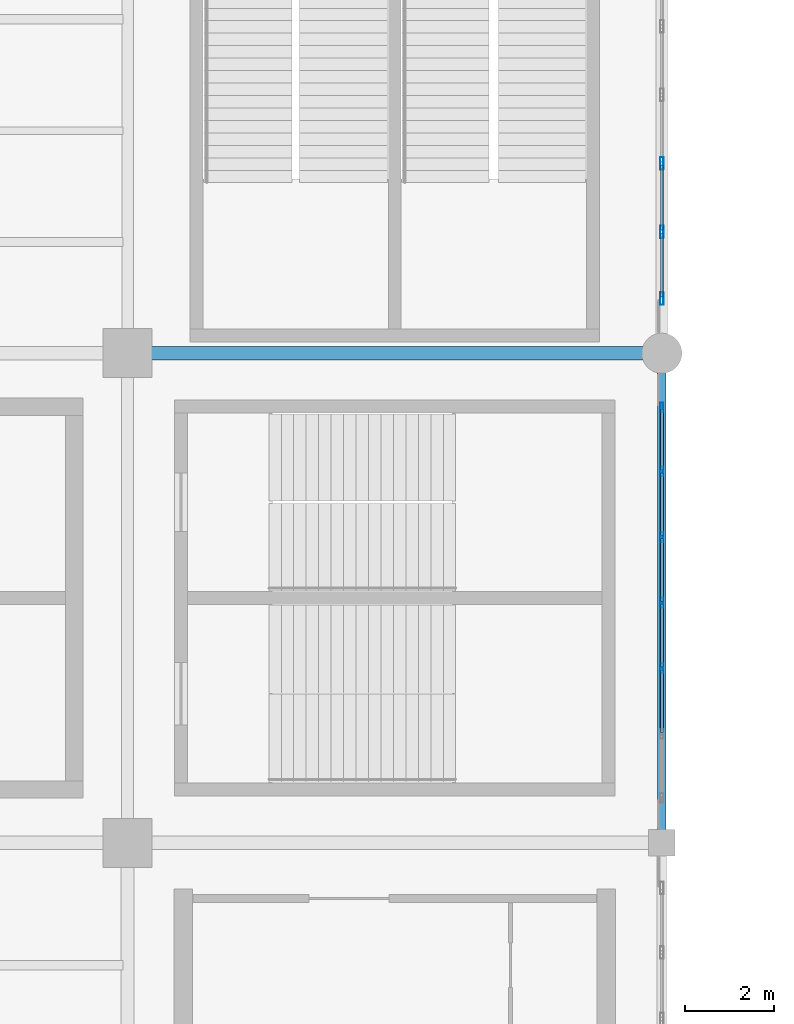
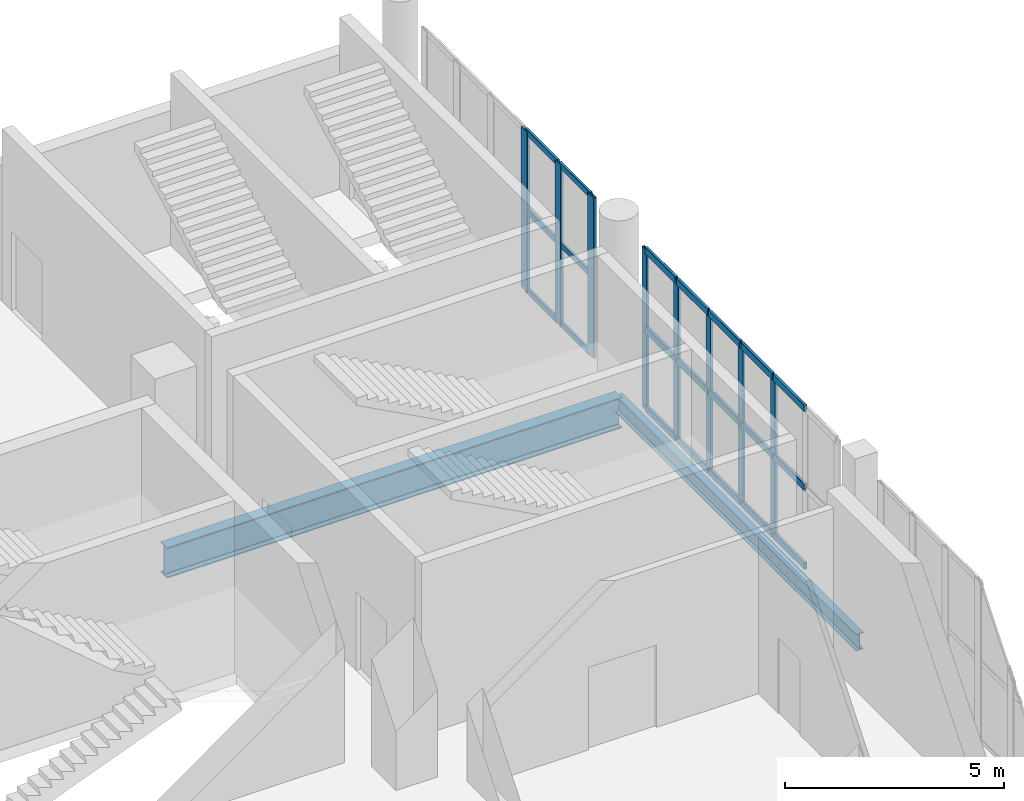
# One storey, part 89 of 136: 29 members, 2 beams, 2 elements without a shape of their own.
"""IFC4 building model written with IfcOpenShell, lengths in metres."""

from ifc_helpers import new_model, si_unit, direction, frame, origin, origin_2d, place, context, subcontext, project, spatial, hollow_rectangle, i_section, extrude, material, layer, layer_set, material_profile, profile_set, type_object, element, aggregate, save


model = new_model("IFC4")

# Units and contexts
model_context = context("Model", 3, precision=1e-05, world=origin(), true_north=direction((0.0, 1.0)))
body_context = subcontext(model_context, "Body", "Model", "MODEL_VIEW")
ifc_project = project(units=[si_unit("LENGTHUNIT", "METRE"), si_unit("AREAUNIT", "SQUARE_METRE"), si_unit("VOLUMEUNIT", "CUBIC_METRE"), si_unit("PLANEANGLEUNIT", "RADIAN"), si_unit("MASSUNIT", "GRAM", prefix="KILO")], contexts=[model_context])

# Site, building, storey
site_placement = place(None, origin())
site = spatial("IfcSite", under=ifc_project, at=site_placement, CompositionType="ELEMENT")
building_placement = place(site_placement, origin())
building = spatial("IfcBuilding", under=site, at=building_placement, Name="Brinegate Civic Arena", CompositionType="ELEMENT")
storey_placement = place(building_placement, frame((0.0, 0.0, 5.39990234375)))
storey = spatial("IfcBuildingStorey", under=building, at=storey_placement, Name="L01", CompositionType="ELEMENT", Elevation=5.39990234375)

# Curtain wall, members
ifc_material_1 = material(Name="Marine grade aluminium", Category="aluminium")
ifc_layer = layer(ifc_material_1, 0.199951171875, Name="Marine grade aluminium")
ifc_layer_set = layer_set([ifc_layer], Name="Marine grade aluminium")
curtain_wall_type = type_object("IfcCurtainWallType", Name="CW-BOWL-GLAZED-01", PredefinedType="USERDEFINED", material=ifc_layer_set)
curtain_wall_1_placement = place(storey_placement, origin())
curtain_wall_1 = element("IfcCurtainWall", 1, at=curtain_wall_1_placement, inside=storey, type_object=curtain_wall_type, Name="Curtain Wall CWA-059", ObjectType="GLAZED CURTAIN WALL", PredefinedType="USERDEFINED")
ifc_material_profile_1 = material_profile(ifc_material_1, hollow_rectangle(XDim=0.06494140625, YDim=0.219970703125, WallThickness=0.006103515625, InnerFilletRadius=0.00390625, OuterFilletRadius=0.008056640625, at=origin_2d()), Name="MUL65X220")
ifc_profile_set_1 = profile_set([ifc_material_profile_1], Name="Marine grade aluminium")
member_type_1 = type_object("IfcMemberType", Name="CW-MULLION-65X220", PredefinedType="MULLION", material=ifc_profile_set_1)
member_1_placement = place(storey_placement, frame((168.0, 96.920654296875, 0.0), z_axis=(0.0, 0.0, 1.0), x_axis=(-1.0, 0.0, 0.0)))
member_1 = element("IfcMember", 2, at=member_1_placement, type_object=member_type_1, Name="CWA-059 mullion 3", PredefinedType="MULLION", context=body_context, shape_type="SweptSolid", body=[
    extrude(hollow_rectangle(XDim=0.06494140625, YDim=0.219970703125, WallThickness=0.006103515625, InnerFilletRadius=0.00390625, OuterFilletRadius=0.008056640625, at=origin_2d()), origin(), (0.0, 0.0, 1.0), 4.47021484375),
])
member_2_placement = place(storey_placement, frame((168.0, 98.39404296875, 0.0), z_axis=(0.0, 0.0, 1.0), x_axis=(-1.0, 0.0, 0.0)))
member_2 = element("IfcMember", 3, at=member_2_placement, type_object=member_type_1, Name="CWA-059 mullion 4", PredefinedType="MULLION", context=body_context, shape_type="SweptSolid", body=[
    extrude(hollow_rectangle(XDim=0.06494140625, YDim=0.219970703125, WallThickness=0.006103515625, InnerFilletRadius=0.00390625, OuterFilletRadius=0.008056640625, at=origin_2d()), origin(), (0.0, 0.0, 1.0), 4.47021484375),
])
member_3_placement = place(storey_placement, frame((168.0, 99.867431640625, 0.0), z_axis=(0.0, 0.0, 1.0), x_axis=(-1.0, 0.0, 0.0)))
member_3 = element("IfcMember", 4, at=member_3_placement, type_object=member_type_1, Name="CWA-059 mullion 5", PredefinedType="MULLION", context=body_context, shape_type="SweptSolid", body=[
    extrude(hollow_rectangle(XDim=0.06494140625, YDim=0.219970703125, WallThickness=0.006103515625, InnerFilletRadius=0.00390625, OuterFilletRadius=0.008056640625, at=origin_2d()), origin(), (0.0, 0.0, 1.0), 4.47021484375),
])
member_4_placement = place(storey_placement, frame((168.0, 101.340576171875, 0.0), z_axis=(0.0, 0.0, 1.0), x_axis=(-1.0, 0.0, 0.0)))
member_4 = element("IfcMember", 5, at=member_4_placement, type_object=member_type_1, Name="CWA-059 mullion 6", PredefinedType="MULLION", context=body_context, shape_type="SweptSolid", body=[
    extrude(hollow_rectangle(XDim=0.06494140625, YDim=0.219970703125, WallThickness=0.006103515625, InnerFilletRadius=0.00390625, OuterFilletRadius=0.008056640625, at=origin_2d()), origin(), (0.0, 0.0, 1.0), 4.47021484375),
])
member_5_placement = place(storey_placement, frame((168.0, 102.781494140625, 0.0), z_axis=(0.0, 0.0, 1.0), x_axis=(-1.0, 0.0, 0.0)))
member_5 = element("IfcMember", 6, at=member_5_placement, type_object=member_type_1, Name="CWA-059 mullion 7", PredefinedType="MULLION", context=body_context, shape_type="SweptSolid", body=[
    extrude(hollow_rectangle(XDim=0.06494140625, YDim=0.219970703125, WallThickness=0.006103515625, InnerFilletRadius=0.00390625, OuterFilletRadius=0.008056640625, at=origin_2d()), origin(), (0.0, 0.0, 1.0), 4.47021484375),
])

curtain_wall_2_placement = place(storey_placement, origin())
curtain_wall_2 = element("IfcCurtainWall", 7, at=curtain_wall_2_placement, inside=storey, type_object=curtain_wall_type, Name="Curtain Wall CWA-061", ObjectType="GLAZED CURTAIN WALL", PredefinedType="USERDEFINED")
ifc_material_profile_2 = material_profile(ifc_material_1, hollow_rectangle(XDim=0.080078125, YDim=0.280029296875, WallThickness=0.007080078125, InnerFilletRadius=0.0048828125, OuterFilletRadius=0.010009765625, at=origin_2d()), Name="MUL80X280")
ifc_profile_set_2 = profile_set([ifc_material_profile_2], Name="Marine grade aluminium")
member_type_2 = type_object("IfcMemberType", Name="CW-MULLION-80X280", PredefinedType="MULLION", material=ifc_profile_set_2)
member_6_placement = place(storey_placement, frame((168.0, 105.22607421875, 0.0), z_axis=(0.0, 0.0, 1.0), x_axis=(-1.0, 0.0, 0.0)))
member_6 = element("IfcMember", 8, at=member_6_placement, type_object=member_type_2, Name="CWA-061 mullion 1", PredefinedType="MULLION", context=body_context, shape_type="SweptSolid", body=[
    extrude(hollow_rectangle(XDim=0.080078125, YDim=0.280029296875, WallThickness=0.007080078125, InnerFilletRadius=0.0048828125, OuterFilletRadius=0.010009765625, at=origin_2d()), origin(), (0.0, 0.0, 1.0), 4.47021484375),
])
member_7_placement = place(storey_placement, frame((168.0, 106.7255859375, 0.0), z_axis=(0.0, 0.0, 1.0), x_axis=(-1.0, 0.0, 0.0)))
member_7 = element("IfcMember", 9, at=member_7_placement, type_object=member_type_2, Name="CWA-061 mullion 2", PredefinedType="MULLION", context=body_context, shape_type="SweptSolid", body=[
    extrude(hollow_rectangle(XDim=0.080078125, YDim=0.280029296875, WallThickness=0.007080078125, InnerFilletRadius=0.0048828125, OuterFilletRadius=0.010009765625, at=origin_2d()), origin(), (0.0, 0.0, 1.0), 4.47021484375),
])
member_8_placement = place(storey_placement, frame((168.0, 108.26513671875, 0.0), z_axis=(0.0, 0.0, 1.0), x_axis=(-1.0, 0.0, 0.0)))
member_8 = element("IfcMember", 10, at=member_8_placement, type_object=member_type_2, Name="CWA-061 mullion 3", PredefinedType="MULLION", context=body_context, shape_type="SweptSolid", body=[
    extrude(hollow_rectangle(XDim=0.080078125, YDim=0.280029296875, WallThickness=0.007080078125, InnerFilletRadius=0.0048828125, OuterFilletRadius=0.010009765625, at=origin_2d()), origin(), (0.0, 0.0, 1.0), 4.47021484375),
])
ifc_material_profile_3 = material_profile(ifc_material_1, hollow_rectangle(XDim=0.06494140625, YDim=0.1650390625, WallThickness=0.0048828125, InnerFilletRadius=0.00390625, OuterFilletRadius=0.008056640625, at=origin_2d()), Name="TRN65X165")
ifc_profile_set_3 = profile_set([ifc_material_profile_3], Name="Marine grade aluminium")
member_type_3 = type_object("IfcMemberType", Name="CW-TRANSOM-65X165", PredefinedType="USERDEFINED", material=ifc_profile_set_3)
member_9_placement = place(storey_placement, frame((168.0, 105.26611328125, 0.03271484375), z_axis=(0.0, 1.0, 0.0), x_axis=(-1.0, 0.0, 0.0)))
member_9 = element("IfcMember", 11, at=member_9_placement, type_object=member_type_3, Name="CWA-061 transom 1.1", ObjectType="TRANSOM", PredefinedType="USERDEFINED", context=body_context, shape_type="SweptSolid", body=[
    extrude(hollow_rectangle(XDim=0.06494140625, YDim=0.1650390625, WallThickness=0.0048828125, InnerFilletRadius=0.00390625, OuterFilletRadius=0.008056640625, at=origin_2d()), origin(), (0.0, 0.0, 1.0), 1.41943359375),
])
member_10_placement = place(storey_placement, frame((168.0, 105.26611328125, 2.235107421875), z_axis=(0.0, 1.0, 0.0), x_axis=(-1.0, 0.0, 0.0)))
member_10 = element("IfcMember", 12, at=member_10_placement, type_object=member_type_3, Name="CWA-061 transom 1.2", ObjectType="TRANSOM", PredefinedType="USERDEFINED", context=body_context, shape_type="SweptSolid", body=[
    extrude(hollow_rectangle(XDim=0.06494140625, YDim=0.1650390625, WallThickness=0.0048828125, InnerFilletRadius=0.00390625, OuterFilletRadius=0.008056640625, at=origin_2d()), origin(), (0.0, 0.0, 1.0), 1.41943359375),
])
member_11_placement = place(storey_placement, frame((168.0, 105.26611328125, 4.4375), z_axis=(0.0, 1.0, 0.0), x_axis=(-1.0, 0.0, 0.0)))
member_11 = element("IfcMember", 13, at=member_11_placement, type_object=member_type_3, Name="CWA-061 transom 1.3", ObjectType="TRANSOM", PredefinedType="USERDEFINED", context=body_context, shape_type="SweptSolid", body=[
    extrude(hollow_rectangle(XDim=0.06494140625, YDim=0.1650390625, WallThickness=0.0048828125, InnerFilletRadius=0.00390625, OuterFilletRadius=0.008056640625, at=origin_2d()), origin(), (0.0, 0.0, 1.0), 1.41943359375),
])
member_12_placement = place(storey_placement, frame((168.0, 106.765625, 0.03271484375), z_axis=(0.0, 1.0, 0.0), x_axis=(-1.0, 0.0, 0.0)))
member_12 = element("IfcMember", 14, at=member_12_placement, type_object=member_type_3, Name="CWA-061 transom 2.1", ObjectType="TRANSOM", PredefinedType="USERDEFINED", context=body_context, shape_type="SweptSolid", body=[
    extrude(hollow_rectangle(XDim=0.06494140625, YDim=0.1650390625, WallThickness=0.0048828125, InnerFilletRadius=0.00390625, OuterFilletRadius=0.008056640625, at=origin_2d()), origin(), (0.0, 0.0, 1.0), 1.45947265625),
])
member_13_placement = place(storey_placement, frame((168.0, 106.765625, 2.235107421875), z_axis=(0.0, 1.0, 0.0), x_axis=(-1.0, 0.0, 0.0)))
member_13 = element("IfcMember", 15, at=member_13_placement, type_object=member_type_3, Name="CWA-061 transom 2.2", ObjectType="TRANSOM", PredefinedType="USERDEFINED", context=body_context, shape_type="SweptSolid", body=[
    extrude(hollow_rectangle(XDim=0.06494140625, YDim=0.1650390625, WallThickness=0.0048828125, InnerFilletRadius=0.00390625, OuterFilletRadius=0.008056640625, at=origin_2d()), origin(), (0.0, 0.0, 1.0), 1.45947265625),
])
member_14_placement = place(storey_placement, frame((168.0, 106.765625, 4.4375), z_axis=(0.0, 1.0, 0.0), x_axis=(-1.0, 0.0, 0.0)))
member_14 = element("IfcMember", 16, at=member_14_placement, type_object=member_type_3, Name="CWA-061 transom 2.3", ObjectType="TRANSOM", PredefinedType="USERDEFINED", context=body_context, shape_type="SweptSolid", body=[
    extrude(hollow_rectangle(XDim=0.06494140625, YDim=0.1650390625, WallThickness=0.0048828125, InnerFilletRadius=0.00390625, OuterFilletRadius=0.008056640625, at=origin_2d()), origin(), (0.0, 0.0, 1.0), 1.45947265625),
])
aggregate(curtain_wall_2, [member_6, member_7, member_8, member_9, member_10, member_11, member_12, member_13, member_14])

# Member
ifc_material_profile_4 = material_profile(ifc_material_1, hollow_rectangle(XDim=0.074951171875, YDim=0.18994140625, WallThickness=0.006103515625, InnerFilletRadius=0.00390625, OuterFilletRadius=0.008056640625, at=origin_2d()), Name="TRN75X190")
ifc_profile_set_4 = profile_set([ifc_material_profile_4], Name="Marine grade aluminium")
member_type_4 = type_object("IfcMemberType", Name="CW-TRANSOM-75X190", PredefinedType="USERDEFINED", material=ifc_profile_set_4)
member_15_placement = place(storey_placement, frame((168.0, 95.479736328125, 0.03759765625), z_axis=(0.0, 1.0, 0.0), x_axis=(-1.0, 0.0, 0.0)))
member_15 = element("IfcMember", 17, at=member_15_placement, type_object=member_type_4, Name="CWA-059 transom 2.1", ObjectType="TRANSOM", PredefinedType="USERDEFINED", context=body_context, shape_type="SweptSolid", body=[
    extrude(hollow_rectangle(XDim=0.074951171875, YDim=0.18994140625, WallThickness=0.006103515625, InnerFilletRadius=0.00390625, OuterFilletRadius=0.008056640625, at=origin_2d()), origin(), (0.0, 0.0, 1.0), 1.408447265625),
])

member_16_placement = place(storey_placement, frame((168.0, 95.479736328125, 2.235107421875), z_axis=(0.0, 1.0, 0.0), x_axis=(-1.0, 0.0, 0.0)))
member_16 = element("IfcMember", 18, at=member_16_placement, type_object=member_type_4, Name="CWA-059 transom 2.2", ObjectType="TRANSOM", PredefinedType="USERDEFINED", context=body_context, shape_type="SweptSolid", body=[
    extrude(hollow_rectangle(XDim=0.074951171875, YDim=0.18994140625, WallThickness=0.006103515625, InnerFilletRadius=0.00390625, OuterFilletRadius=0.008056640625, at=origin_2d()), origin(), (0.0, 0.0, 1.0), 1.408447265625),
])

member_17_placement = place(storey_placement, frame((168.0, 95.479736328125, 4.4326171875), z_axis=(0.0, 1.0, 0.0), x_axis=(-1.0, 0.0, 0.0)))
member_17 = element("IfcMember", 19, at=member_17_placement, type_object=member_type_4, Name="CWA-059 transom 2.3", ObjectType="TRANSOM", PredefinedType="USERDEFINED", context=body_context, shape_type="SweptSolid", body=[
    extrude(hollow_rectangle(XDim=0.074951171875, YDim=0.18994140625, WallThickness=0.006103515625, InnerFilletRadius=0.00390625, OuterFilletRadius=0.008056640625, at=origin_2d()), origin(), (0.0, 0.0, 1.0), 1.408447265625),
])

member_18_placement = place(storey_placement, frame((168.0, 96.953125, 0.03759765625), z_axis=(0.0, 1.0, 0.0), x_axis=(-1.0, 0.0, 0.0)))
member_18 = element("IfcMember", 20, at=member_18_placement, type_object=member_type_4, Name="CWA-059 transom 3.1", ObjectType="TRANSOM", PredefinedType="USERDEFINED", context=body_context, shape_type="SweptSolid", body=[
    extrude(hollow_rectangle(XDim=0.074951171875, YDim=0.18994140625, WallThickness=0.006103515625, InnerFilletRadius=0.00390625, OuterFilletRadius=0.008056640625, at=origin_2d()), origin(), (0.0, 0.0, 1.0), 1.408447265625),
])

member_19_placement = place(storey_placement, frame((168.0, 96.953125, 2.235107421875), z_axis=(0.0, 1.0, 0.0), x_axis=(-1.0, 0.0, 0.0)))
member_19 = element("IfcMember", 21, at=member_19_placement, type_object=member_type_4, Name="CWA-059 transom 3.2", ObjectType="TRANSOM", PredefinedType="USERDEFINED", context=body_context, shape_type="SweptSolid", body=[
    extrude(hollow_rectangle(XDim=0.074951171875, YDim=0.18994140625, WallThickness=0.006103515625, InnerFilletRadius=0.00390625, OuterFilletRadius=0.008056640625, at=origin_2d()), origin(), (0.0, 0.0, 1.0), 1.408447265625),
])

member_20_placement = place(storey_placement, frame((168.0, 96.953125, 4.4326171875), z_axis=(0.0, 1.0, 0.0), x_axis=(-1.0, 0.0, 0.0)))
member_20 = element("IfcMember", 22, at=member_20_placement, type_object=member_type_4, Name="CWA-059 transom 3.3", ObjectType="TRANSOM", PredefinedType="USERDEFINED", context=body_context, shape_type="SweptSolid", body=[
    extrude(hollow_rectangle(XDim=0.074951171875, YDim=0.18994140625, WallThickness=0.006103515625, InnerFilletRadius=0.00390625, OuterFilletRadius=0.008056640625, at=origin_2d()), origin(), (0.0, 0.0, 1.0), 1.408447265625),
])

member_21_placement = place(storey_placement, frame((168.0, 98.426513671875, 0.03759765625), z_axis=(0.0, 1.0, 0.0), x_axis=(-1.0, 0.0, 0.0)))
member_21 = element("IfcMember", 23, at=member_21_placement, type_object=member_type_4, Name="CWA-059 transom 4.1", ObjectType="TRANSOM", PredefinedType="USERDEFINED", context=body_context, shape_type="SweptSolid", body=[
    extrude(hollow_rectangle(XDim=0.074951171875, YDim=0.18994140625, WallThickness=0.006103515625, InnerFilletRadius=0.00390625, OuterFilletRadius=0.008056640625, at=origin_2d()), origin(), (0.0, 0.0, 1.0), 1.408203125),
])

member_22_placement = place(storey_placement, frame((168.0, 98.426513671875, 2.235107421875), z_axis=(0.0, 1.0, 0.0), x_axis=(-1.0, 0.0, 0.0)))
member_22 = element("IfcMember", 24, at=member_22_placement, type_object=member_type_4, Name="CWA-059 transom 4.2", ObjectType="TRANSOM", PredefinedType="USERDEFINED", context=body_context, shape_type="SweptSolid", body=[
    extrude(hollow_rectangle(XDim=0.074951171875, YDim=0.18994140625, WallThickness=0.006103515625, InnerFilletRadius=0.00390625, OuterFilletRadius=0.008056640625, at=origin_2d()), origin(), (0.0, 0.0, 1.0), 1.408203125),
])

member_23_placement = place(storey_placement, frame((168.0, 98.426513671875, 4.4326171875), z_axis=(0.0, 1.0, 0.0), x_axis=(-1.0, 0.0, 0.0)))
member_23 = element("IfcMember", 25, at=member_23_placement, type_object=member_type_4, Name="CWA-059 transom 4.3", ObjectType="TRANSOM", PredefinedType="USERDEFINED", context=body_context, shape_type="SweptSolid", body=[
    extrude(hollow_rectangle(XDim=0.074951171875, YDim=0.18994140625, WallThickness=0.006103515625, InnerFilletRadius=0.00390625, OuterFilletRadius=0.008056640625, at=origin_2d()), origin(), (0.0, 0.0, 1.0), 1.408203125),
])

member_24_placement = place(storey_placement, frame((168.0, 99.89990234375, 0.03759765625), z_axis=(0.0, 1.0, 0.0), x_axis=(-1.0, 0.0, 0.0)))
member_24 = element("IfcMember", 26, at=member_24_placement, type_object=member_type_4, Name="CWA-059 transom 5.1", ObjectType="TRANSOM", PredefinedType="USERDEFINED", context=body_context, shape_type="SweptSolid", body=[
    extrude(hollow_rectangle(XDim=0.074951171875, YDim=0.18994140625, WallThickness=0.006103515625, InnerFilletRadius=0.00390625, OuterFilletRadius=0.008056640625, at=origin_2d()), origin(), (0.0, 0.0, 1.0), 1.408203125),
])

member_25_placement = place(storey_placement, frame((168.0, 99.89990234375, 2.235107421875), z_axis=(0.0, 1.0, 0.0), x_axis=(-1.0, 0.0, 0.0)))
member_25 = element("IfcMember", 27, at=member_25_placement, type_object=member_type_4, Name="CWA-059 transom 5.2", ObjectType="TRANSOM", PredefinedType="USERDEFINED", context=body_context, shape_type="SweptSolid", body=[
    extrude(hollow_rectangle(XDim=0.074951171875, YDim=0.18994140625, WallThickness=0.006103515625, InnerFilletRadius=0.00390625, OuterFilletRadius=0.008056640625, at=origin_2d()), origin(), (0.0, 0.0, 1.0), 1.408203125),
])

member_26_placement = place(storey_placement, frame((168.0, 99.89990234375, 4.4326171875), z_axis=(0.0, 1.0, 0.0), x_axis=(-1.0, 0.0, 0.0)))
member_26 = element("IfcMember", 28, at=member_26_placement, type_object=member_type_4, Name="CWA-059 transom 5.3", ObjectType="TRANSOM", PredefinedType="USERDEFINED", context=body_context, shape_type="SweptSolid", body=[
    extrude(hollow_rectangle(XDim=0.074951171875, YDim=0.18994140625, WallThickness=0.006103515625, InnerFilletRadius=0.00390625, OuterFilletRadius=0.008056640625, at=origin_2d()), origin(), (0.0, 0.0, 1.0), 1.408203125),
])

member_27_placement = place(storey_placement, frame((168.0, 101.373046875, 0.03759765625), z_axis=(0.0, 1.0, 0.0), x_axis=(-1.0, 0.0, 0.0)))
member_27 = element("IfcMember", 29, at=member_27_placement, type_object=member_type_4, Name="CWA-059 transom 6.1", ObjectType="TRANSOM", PredefinedType="USERDEFINED", context=body_context, shape_type="SweptSolid", body=[
    extrude(hollow_rectangle(XDim=0.074951171875, YDim=0.18994140625, WallThickness=0.006103515625, InnerFilletRadius=0.00390625, OuterFilletRadius=0.008056640625, at=origin_2d()), origin(), (0.0, 0.0, 1.0), 1.3759765625),
])

member_28_placement = place(storey_placement, frame((168.0, 101.373046875, 2.235107421875), z_axis=(0.0, 1.0, 0.0), x_axis=(-1.0, 0.0, 0.0)))
member_28 = element("IfcMember", 30, at=member_28_placement, type_object=member_type_4, Name="CWA-059 transom 6.2", ObjectType="TRANSOM", PredefinedType="USERDEFINED", context=body_context, shape_type="SweptSolid", body=[
    extrude(hollow_rectangle(XDim=0.074951171875, YDim=0.18994140625, WallThickness=0.006103515625, InnerFilletRadius=0.00390625, OuterFilletRadius=0.008056640625, at=origin_2d()), origin(), (0.0, 0.0, 1.0), 1.3759765625),
])

member_29_placement = place(storey_placement, frame((168.0, 101.373046875, 4.4326171875), z_axis=(0.0, 1.0, 0.0), x_axis=(-1.0, 0.0, 0.0)))
member_29 = element("IfcMember", 31, at=member_29_placement, type_object=member_type_4, Name="CWA-059 transom 6.3", ObjectType="TRANSOM", PredefinedType="USERDEFINED", context=body_context, shape_type="SweptSolid", body=[
    extrude(hollow_rectangle(XDim=0.074951171875, YDim=0.18994140625, WallThickness=0.006103515625, InnerFilletRadius=0.00390625, OuterFilletRadius=0.008056640625, at=origin_2d()), origin(), (0.0, 0.0, 1.0), 1.3759765625),
])

aggregate(curtain_wall_1, [member_1, member_2, member_3, member_4, member_5, member_15, member_16, member_17, member_18, member_19, member_20, member_21, member_22, member_23, member_24, member_25, member_26, member_27, member_28, member_29])

# Beams
ifc_material_2 = material(Name="Steel S355", Category="steel")
ifc_material_profile_5 = material_profile(ifc_material_2, i_section(OverallWidth=0.2939453125, OverallDepth=0.85107421875, WebThickness=0.01611328125, FlangeThickness=0.027099609375, FilletRadius=0.02197265625, at=origin_2d()), Name="W840X226")
ifc_profile_set_5 = profile_set([ifc_material_profile_5], Name="Steel S355")
beam_type_1 = type_object("IfcBeamType", Name="GIRDER-W840X226", PredefinedType="BEAM", material=ifc_profile_set_5)
beam_1_placement = place(storey_placement, frame((156.0, 104.0, -0.764892578125), z_axis=(1.0, 0.0, 0.0), x_axis=(0.0, 1.0, 0.0)))
element("IfcBeam", 32, at=beam_1_placement, inside=storey, type_object=beam_type_1, Name="Floor Girder BM-L01-GX-13-10", PredefinedType="BEAM", context=body_context, shape_type="SweptSolid", body=[
    extrude(i_section(OverallWidth=0.2939453125, OverallDepth=0.85107421875, WebThickness=0.01611328125, FlangeThickness=0.027099609375, FilletRadius=0.02197265625, at=origin_2d()), origin(), (0.0, 0.0, 1.0), 12.0),
])
ifc_material_profile_6 = material_profile(ifc_material_2, i_section(OverallWidth=0.193115234375, OverallDepth=0.466064453125, WebThickness=0.010986328125, FlangeThickness=0.01904296875, FilletRadius=0.014892578125, at=origin_2d()), Name="W460X97")
ifc_profile_set_6 = profile_set([ifc_material_profile_6], Name="Steel S355")
beam_type_2 = type_object("IfcBeamType", Name="SPANDREL-W460X97", PredefinedType="SPANDREL", material=ifc_profile_set_6)
beam_2_placement = place(storey_placement, frame((168.0, 93.0, -0.572998046875), z_axis=(0.0, 1.0, 0.0), x_axis=(-1.0, 0.0, 0.0)))
element("IfcBeam", 33, at=beam_2_placement, inside=storey, type_object=beam_type_2, Name="Floor Girder BM-L01-GY-14-09", PredefinedType="SPANDREL", context=body_context, shape_type="SweptSolid", body=[
    extrude(i_section(OverallWidth=0.193115234375, OverallDepth=0.466064453125, WebThickness=0.010986328125, FlangeThickness=0.01904296875, FilletRadius=0.014892578125, at=origin_2d()), origin(), (0.0, 0.0, 1.0), 11.0),
])

save(model, "model.ifc")
